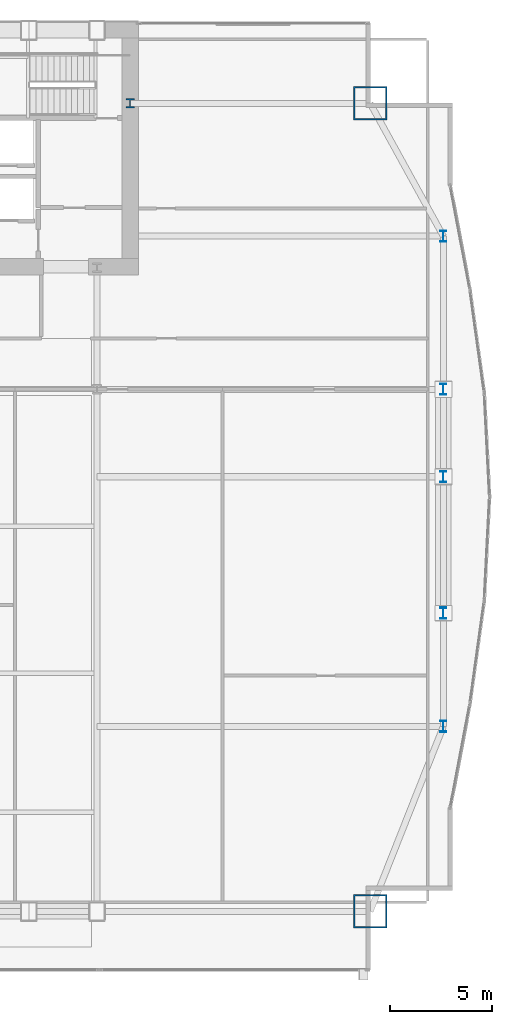
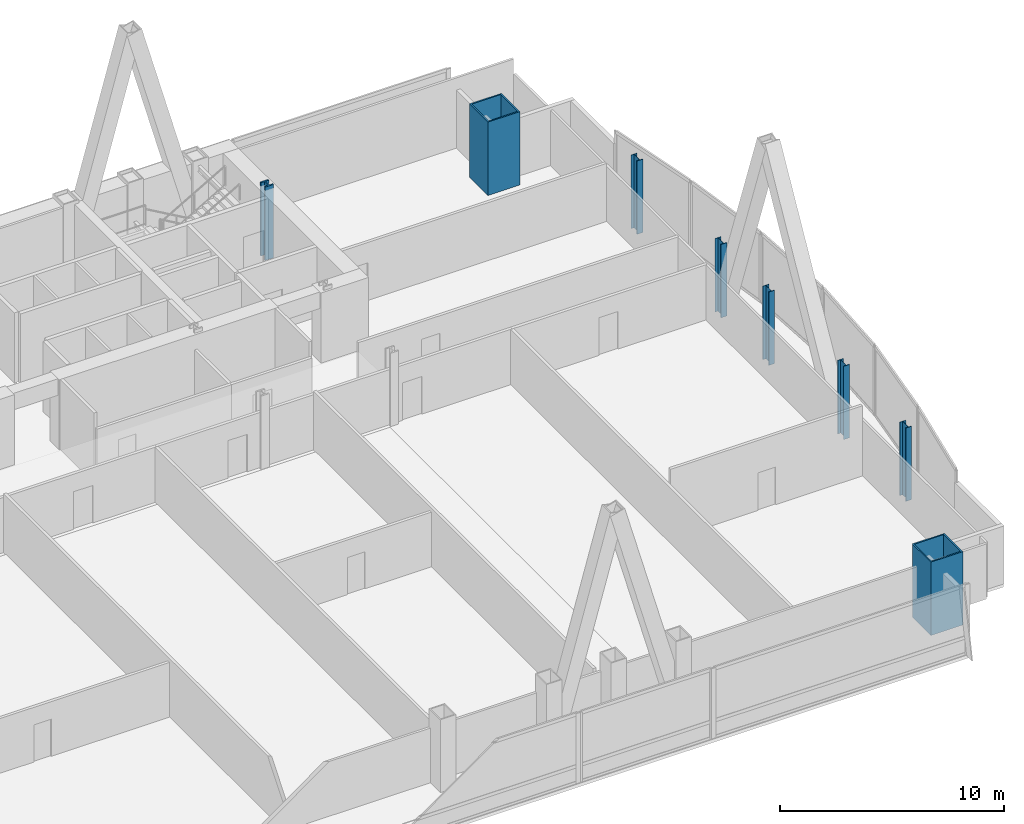
# One storey, part 4 of 37: 8 columns.
"""IFC4 building model written with IfcOpenShell, lengths in metres."""

from ifc_helpers import new_model, si_unit, direction, frame, origin, origin_2d, place, context, subcontext, project, spatial, hollow_rectangle, i_section, extrude, material, material_profile, profile_set, type_object, element, save


model = new_model("IFC4")

# Units and contexts
model_context = context("Model", 3, precision=1e-05, world=origin(), true_north=direction((0.0, 1.0)))
body_context = subcontext(model_context, "Body", "Model", "MODEL_VIEW")
ifc_project = project(units=[si_unit("LENGTHUNIT", "METRE"), si_unit("AREAUNIT", "SQUARE_METRE"), si_unit("VOLUMEUNIT", "CUBIC_METRE"), si_unit("PLANEANGLEUNIT", "RADIAN"), si_unit("MASSUNIT", "GRAM", prefix="KILO")], contexts=[model_context])

# Site, building, storey
site_placement = place(None, origin())
site = spatial("IfcSite", under=ifc_project, at=site_placement, CompositionType="ELEMENT")
building_placement = place(site_placement, origin())
building = spatial("IfcBuilding", under=site, at=building_placement, Name="Khoronbel Lancet Exchange", CompositionType="ELEMENT")
storey_placement = place(building_placement, frame((0.0, 0.0, 61.800048828125)))
storey = spatial("IfcBuildingStorey", under=building, at=storey_placement, Name="L14", CompositionType="ELEMENT", Elevation=61.800048828125)

# Columns
ifc_material_1 = material(Name="Steel S460", Category="steel")
ifc_material_profile_1 = material_profile(ifc_material_1, i_section(OverallWidth=0.424072265625, OverallDepth=0.47412109375, WebThickness=0.047607421875, FlangeThickness=0.076904296875, at=origin_2d()), Name="HD 400x634")
ifc_profile_set_1 = profile_set([ifc_material_profile_1], Name="Steel S460")
column_type_1 = type_object("IfcColumnType", Name="COL-IC1", PredefinedType="COLUMN", material=ifc_profile_set_1)
column_placement = place(storey_placement, frame((56.300048828125, 49.699951171875, 0.0), z_axis=(0.0, 0.0, 1.0), x_axis=(1.0, 0.0, 0.0)))
element("IfcColumn", 1, at=column_placement, inside=storey, type_object=column_type_1, Name="Core-flank plumb transfer column CFE L14", PredefinedType="COLUMN", context=body_context, shape_type="SweptSolid", body=[
    extrude(i_section(OverallWidth=0.424072265625, OverallDepth=0.47412109375, WebThickness=0.047607421875, FlangeThickness=0.076904296875, at=origin_2d()), origin(), (0.0, 0.0, 1.0), 4.0),
])
ifc_material_2 = material(Name="Steel S355", Category="steel")
ifc_material_profile_2 = material_profile(ifc_material_2, i_section(OverallWidth=0.300048828125, OverallDepth=0.550048828125, WebThickness=0.014892578125, FlangeThickness=0.029052734375, at=origin_2d()), Name="HEB 550")
ifc_profile_set_2 = profile_set([ifc_material_profile_2], Name="Steel S355")
column_type_2 = type_object("IfcColumnType", Name="COL-LC1", PredefinedType="COLUMN", material=ifc_profile_set_2)
for number, where, z_axis, x_axis, name in (
    (2, (71.6298828125, 19.199951171875, 0.0), (0.0, 0.0, 1.0), (1.0, 0.0, 0.0), "Structural column EC-1 L14"),
    (3, (71.6298828125, 24.75, 0.0), (0.0, 0.0, 1.0), (1.0, 0.0, 0.0), "Structural column EC-2 L14"),
    (4, (71.6298828125, 31.425048828125, 0.0), (0.0, 0.0, 1.0), (1.0, 0.0, 0.0), "Structural column EC-M L14"),
    (5, (71.6298828125, 35.699951171875, 0.0), (0.0, 0.0, 1.0), (1.0, 0.0, 0.0), "Structural column EC-3 L14"),
    (6, (71.6298828125, 43.199951171875, 0.0), (0.0, 0.0, 1.0), (1.0, 0.0, 0.0), "Structural column EC-4 L14"),
):
    element("IfcColumn", number, at=place(storey_placement, frame(where, z_axis=z_axis, x_axis=x_axis)), inside=storey, type_object=column_type_2, Name=name, PredefinedType="COLUMN", context=body_context, shape_type="SweptSolid", body=[
        extrude(i_section(OverallWidth=0.300048828125, OverallDepth=0.550048828125, WebThickness=0.014892578125, FlangeThickness=0.029052734375, at=origin_2d()), origin(), (0.0, 0.0, 1.0), 4.0),
    ])
ifc_material_profile_3 = material_profile(ifc_material_1, hollow_rectangle(XDim=1.64990234375, YDim=1.64990234375, WallThickness=0.074951171875, at=origin_2d()), Name="BOX 1650x1650x75")
ifc_profile_set_3 = profile_set([ifc_material_profile_3], Name="Steel S460")
column_type_3 = type_object("IfcColumnType", Name="COL-MC2", PredefinedType="COLUMN", material=ifc_profile_set_3)
for number, where, z_axis, x_axis, name in (
    (7, (68.050048828125, 10.14990234375, 0.0), (0.0, 0.0, 1.0), (1.0, 0.0, 0.0), "Structural column MC-SE L14"),
    (8, (68.050048828125, 49.699951171875, 0.0), (0.0, 0.0, 1.0), (1.0, 0.0, 0.0), "Structural column MC-NE L14"),
):
    element("IfcColumn", number, at=place(storey_placement, frame(where, z_axis=z_axis, x_axis=x_axis)), inside=storey, type_object=column_type_3, Name=name, PredefinedType="COLUMN", context=body_context, shape_type="SweptSolid", body=[
        extrude(hollow_rectangle(XDim=1.64990234375, YDim=1.64990234375, WallThickness=0.074951171875, at=origin_2d()), origin(), (0.0, 0.0, 1.0), 4.0),
    ])

save(model, "model.ifc")
